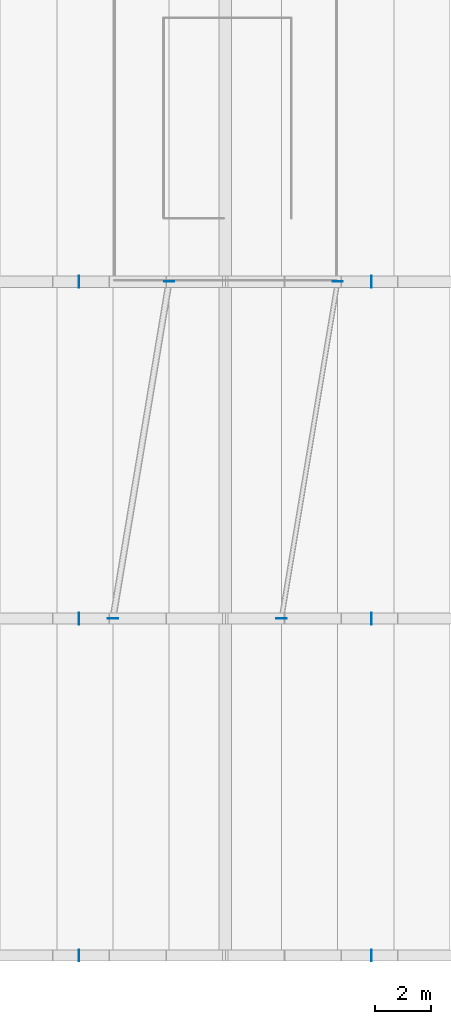
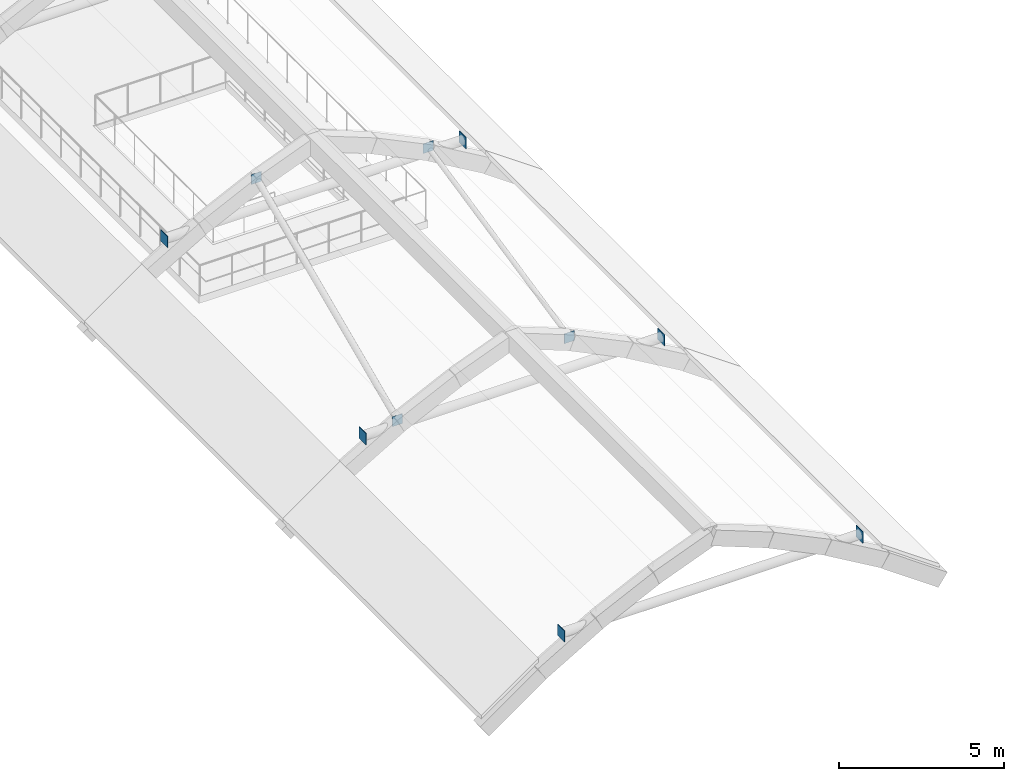
# One storey, part 55 of 82: 10 plates.
"""IFC4 building model written with IfcOpenShell, lengths in metres."""

import ifcopenshell
import ifcopenshell.guid

model = None  # the IFC model being written
_history = None  # IfcOwnerHistory: only IFC2X3 demands one
_inside = {}  # id of a spatial element -> (the spatial element, [elements in it])
_under = {}  # id of a project, library or spatial element -> (it, [spatial elements below it])
_declared = {}  # id of a project -> (the project, [libraries it declares])
_typed = {}  # id of a type object -> (the type object, [elements of that type])
_made_of = {}  # id of a material, layer set ... -> (it, [elements and type objects made of it])


def new_model(schema):
    """Start an empty IFC model of exactly this schema.

    Asked for "IFC4X3", IfcOpenShell would pick the latest addendum, in which some entities
    have other attributes; the version numbers below select the first issue.
    IFC2X3 requires an IfcOwnerHistory on every rooted entity: one is made here for all.
    """
    global model, _history
    if schema == "IFC4X3":
        model = ifcopenshell.file(schema_version=(4, 3, 0, 0))
    else:
        model = ifcopenshell.file(schema=schema)
    _inside.clear()
    _under.clear()
    _declared.clear()
    _typed.clear()
    _made_of.clear()
    _history = None
    if model.schema == "IFC2X3":
        org = make("IfcOrganization", Name="unknown")
        user = make(
            "IfcPersonAndOrganization",
            ThePerson=make("IfcPerson", FamilyName="unknown"),
            TheOrganization=org,
        )
        app = make(
            "IfcApplication",
            ApplicationDeveloper=org,
            Version="unknown",
            ApplicationFullName="unknown",
            ApplicationIdentifier="unknown",
        )
        _history = make(
            "IfcOwnerHistory",
            OwningUser=user,
            OwningApplication=app,
            ChangeAction="ADDED",
            CreationDate=0,
        )
    return model


def make(cls, **values):
    """One entity of the class cls with the attributes given. An attribute that is None is left unset."""
    return model.create_entity(
        cls, **{name: value for name, value in values.items() if value is not None}
    )


def rooted(cls, **values):
    """An entity with a GlobalId (a new one), such as an element, a storey or a relation."""
    return make(cls, GlobalId=ifcopenshell.guid.new(), OwnerHistory=_history, **values)


def si_unit(unit_type, name, prefix=None):
    """IfcSIUnit, for example si_unit("LENGTHUNIT", "METRE", prefix="MILLI")."""
    return make("IfcSIUnit", UnitType=unit_type, Prefix=prefix, Name=name)


def assignment(units):
    """IfcUnitAssignment: the units of a project."""
    return None if units is None else make("IfcUnitAssignment", Units=units)


def point(xyz):
    """IfcCartesianPoint."""
    return None if xyz is None else make("IfcCartesianPoint", Coordinates=xyz)


def direction(xyz):
    """IfcDirection."""
    return None if xyz is None else make("IfcDirection", DirectionRatios=xyz)


def frame(location, z_axis=None, x_axis=None):
    """IfcAxis2Placement3D, a coordinate frame: its origin and axes. An axis left out is left unset."""
    return make(
        "IfcAxis2Placement3D",
        Location=point(location),
        Axis=direction(z_axis),
        RefDirection=direction(x_axis),
    )


def frame_2d(location, x_axis=None):
    """IfcAxis2Placement2D, a coordinate frame in the plane: its origin and x axis."""
    return make(
        "IfcAxis2Placement2D", Location=point(location), RefDirection=direction(x_axis)
    )


def origin():
    """The frame at (0, 0, 0) with its axes left unset."""
    return frame((0.0, 0.0, 0.0))


def origin_2d():
    """The frame at (0, 0) in the plane with its x axis left unset."""
    return frame_2d((0.0, 0.0))


def place(relative_to, where):
    """IfcLocalPlacement: puts the frame where relative to a parent placement (None: the world)."""
    return make(
        "IfcLocalPlacement", PlacementRelTo=relative_to, RelativePlacement=where
    )


def context(
    kind, dimensions, precision=None, world=None, true_north=None, identifier=None
):
    """IfcGeometricRepresentationContext, for example the 3D "Model" context."""
    return make(
        "IfcGeometricRepresentationContext",
        ContextIdentifier=identifier,
        ContextType=kind,
        CoordinateSpaceDimension=dimensions,
        Precision=precision,
        WorldCoordinateSystem=world,
        TrueNorth=true_north,
    )


def subcontext(parent, identifier, kind, view, scale=None):
    """IfcGeometricRepresentationSubContext, for example "Body" below "Model"."""
    return make(
        "IfcGeometricRepresentationSubContext",
        ContextIdentifier=identifier,
        ContextType=kind,
        ParentContext=parent,
        TargetScale=scale,
        TargetView=view,
    )


def project(units=None, contexts=None):
    """IfcProject with its units and contexts."""
    return rooted(
        "IfcProject",
        Name="project",
        RepresentationContexts=contexts,
        UnitsInContext=assignment(units),
    )


def spatial(cls, under=None, at=None, **own):
    """A site, building, storey or space (cls), placed at a placement, below another one or the project."""
    s = rooted(cls, ObjectPlacement=at, **own)
    if under is not None:
        _under.setdefault(under.id(), (under, []))[1].append(s)
    return s


def profile(cls, at=None, kind="AREA", **sizes):
    """A parametric profile (cls). Its sizes go by their IFC names, for example OverallWidth=200.0."""
    return make(cls, ProfileType=kind, Position=at, **sizes)


def rectangle(**sizes):
    """IfcRectangleProfileDef."""
    return profile("IfcRectangleProfileDef", **sizes)


def extrude(swept, where, along, depth):
    """IfcExtrudedAreaSolid: the profile swept, set in the frame where, extruded along a direction by depth."""
    return make(
        "IfcExtrudedAreaSolid",
        SweptArea=swept,
        Position=where,
        ExtrudedDirection=direction(along),
        Depth=depth,
    )


def shape(context_of_items, identifier, shape_type, items):
    """IfcShapeRepresentation: the items that make up one representation, for example the "Body"."""
    return make(
        "IfcShapeRepresentation",
        ContextOfItems=context_of_items,
        RepresentationIdentifier=identifier,
        RepresentationType=shape_type,
        Items=items,
    )


def material(Name=None, Category=None):
    """IfcMaterial."""
    return make("IfcMaterial", Name=Name, Category=Category)


def layer(
    of_material, thickness, ventilated=None, Name=None, Category=None, Priority=None
):
    """IfcMaterialLayer: one layer of a wall or slab, of a material (None: an air gap)."""
    return make(
        "IfcMaterialLayer",
        Material=of_material,
        LayerThickness=thickness,
        IsVentilated=ventilated,
        Name=Name,
        Category=Category,
        Priority=Priority,
    )


def layer_set(layers, Name=None):
    """IfcMaterialLayerSet."""
    return make("IfcMaterialLayerSet", MaterialLayers=layers, LayerSetName=Name)


def made_of(thing, what):
    """Note that an element or type object is made of a material, layer set ...; save() writes the relation."""
    if what is not None:
        _made_of.setdefault(what.id(), (what, []))[1].append(thing)
    return thing


def type_object(cls, material=None, **own):
    """A type object (cls), such as IfcWallType, which elements share."""
    return made_of(rooted(cls, **own), material)


def element(
    cls,
    number,
    at=None,
    inside=None,
    cuts=None,
    type_object=None,
    material=None,
    context=None,
    identifier="Body",
    shape_type=None,
    held_by="IfcProductDefinitionShape",
    body=None,
    shapes=None,
    **own,
):
    """One element of the class cls, such as IfcWall. Its Tag is "e" and its number.

    at: its placement. inside: the storey or other place that contains it. cuts: it is an
    opening in that element (IfcRelVoidsElement). A single representation is given by context,
    identifier, shape_type and body (its items); several are given by shapes. held_by: the class
    of the entity that holds the representations. save() writes the other relations.
    """
    e = rooted(cls, Tag="e%d" % number, ObjectPlacement=at, **own)
    if body is not None:
        shapes = [shape(context, identifier, shape_type, body)]
    if shapes is not None:
        e.Representation = make(held_by, Representations=shapes)
    if inside is not None:
        _inside.setdefault(inside.id(), (inside, []))[1].append(e)
    if cuts is not None:
        rooted(
            "IfcRelVoidsElement", RelatingBuildingElement=cuts, RelatedOpeningElement=e
        )
    if type_object is not None:
        _typed.setdefault(type_object.id(), (type_object, []))[1].append(e)
    return made_of(e, material)


def aggregate(whole, parts):
    """IfcRelAggregates: a whole, such as a stair, and the parts it consists of."""
    return rooted("IfcRelAggregates", RelatingObject=whole, RelatedObjects=parts)


def save(model, path):
    """Write the relations noted so far, then the file.

    IfcRelAggregates (storeys below a building ...), IfcRelContainedInSpatialStructure (elements
    in a storey), IfcRelDefinesByType, IfcRelAssociatesMaterial and IfcRelDeclares: one each for
    every whole, place, type object, material and project.
    """
    for whole, parts in _under.values():
        aggregate(whole, parts)
    for where, things in _inside.values():
        rooted(
            "IfcRelContainedInSpatialStructure",
            RelatedElements=things,
            RelatingStructure=where,
        )
    for kind, things in _typed.values():
        rooted("IfcRelDefinesByType", RelatedObjects=things, RelatingType=kind)
    for what, things in _made_of.values():
        rooted("IfcRelAssociatesMaterial", RelatedObjects=things, RelatingMaterial=what)
    for by, libraries in _declared.values():
        rooted("IfcRelDeclares", RelatingContext=by, RelatedDefinitions=libraries)
    model.write(path)


model = new_model("IFC4")

# Units and contexts
model_context = context("Model", 3, precision=1e-05, world=origin(), true_north=direction((0.0, 1.0)))
body_context = subcontext(model_context, "Body", "Model", "MODEL_VIEW")
ifc_project = project(units=[si_unit("LENGTHUNIT", "METRE"), si_unit("AREAUNIT", "SQUARE_METRE"), si_unit("VOLUMEUNIT", "CUBIC_METRE"), si_unit("PLANEANGLEUNIT", "RADIAN"), si_unit("MASSUNIT", "GRAM", prefix="KILO")], contexts=[model_context])

# Site, building, storey
site_placement = place(None, origin())
site = spatial("IfcSite", under=ifc_project, at=site_placement, CompositionType="ELEMENT")
building_placement = place(site_placement, origin())
building = spatial("IfcBuilding", under=site, at=building_placement, Name="Sitalva Quay Ferry Terminal", CompositionType="ELEMENT")
storey_placement = place(building_placement, frame((0.0, 0.0, 5.39990234375)))
storey = spatial("IfcBuildingStorey", under=building, at=storey_placement, Name="L02", CompositionType="ELEMENT", Elevation=5.39990234375)

# Plates
ifc_material_1 = material(Name="Structural Steel S355JR", Category="steel")
ifc_layer_1 = layer(ifc_material_1, 0.01611328125)
ifc_layer_set_1 = layer_set([ifc_layer_1], Name="Structural Steel S355JR")
plate_type_1 = type_object("IfcPlateType", Name="Gusset_360x360x16", PredefinedType="USERDEFINED", material=ifc_layer_set_1)
for number, where, z_axis, x_axis, name in (
    (1, (16.0, 18.0, 2.53076171875), (0.0, 0.0, 1.0), (1.0, 0.0, 0.0), "Vault V2 wind brace B2.4 S end plate"),
    (2, (18.0, 30.0, 3.4931640625), (0.0, 0.0, 1.0), (1.0, 0.0, 0.0), "Vault V2 wind brace B2.4 N end plate"),
    (3, (22.0, 18.0, 3.4931640625), (0.0, 0.0, 1.0), (1.0, 0.0, 0.0), "Vault V2 wind brace B2.7 S end plate"),
    (4, (24.0, 30.0, 2.53076171875), (0.0, 0.0, 1.0), (1.0, 0.0, 0.0), "Vault V2 wind brace B2.7 N end plate"),
):
    element("IfcPlate", number, at=place(storey_placement, frame(where, z_axis=z_axis, x_axis=x_axis)), inside=storey, type_object=plate_type_1, Name=name, ObjectType="FLANGE_PLATE", PredefinedType="USERDEFINED", context=body_context, shape_type="SweptSolid", body=[
        extrude(rectangle(XDim=0.360107421875, YDim=0.01611328125, at=origin_2d()), origin(), (0.0, 0.0, 1.0), 0.360107421875),
    ])
ifc_material_2 = material(Name="Structural Steel S355JR", Category="steel")
ifc_layer_2 = layer(ifc_material_2, 0.02197265625)
ifc_layer_set_2 = layer_set([ifc_layer_2], Name="Structural Steel S355JR")
plate_type_2 = type_object("IfcPlateType", Name="Gusset_420x420x22", PredefinedType="USERDEFINED", material=ifc_layer_set_2)
for number, where, z_axis, x_axis, name in (
    (5, (14.7890625, 6.0, 2.340087890625), (0.0, 0.0, 1.0), (1.0, 0.0, 0.0), "Vault V2 collar tie 1 west end plate"),
    (6, (25.2109375, 6.0, 2.340087890625), (0.0, 0.0, 1.0), (1.0, 0.0, 0.0), "Vault V2 collar tie 1 east end plate"),
    (7, (14.7890625, 18.0, 2.340087890625), (0.0, 0.0, 1.0), (1.0, 0.0, 0.0), "Vault V2 collar tie 2 west end plate"),
    (8, (25.2109375, 18.0, 2.340087890625), (0.0, 0.0, 1.0), (1.0, 0.0, 0.0), "Vault V2 collar tie 2 east end plate"),
    (9, (14.7890625, 30.0, 2.340087890625), (0.0, 0.0, 1.0), (1.0, 0.0, 0.0), "Vault V2 collar tie 3 west end plate"),
    (10, (25.2109375, 30.0, 2.340087890625), (0.0, 0.0, 1.0), (1.0, 0.0, 0.0), "Vault V2 collar tie 3 east end plate"),
):
    element("IfcPlate", number, at=place(storey_placement, frame(where, z_axis=z_axis, x_axis=x_axis)), inside=storey, type_object=plate_type_2, Name=name, ObjectType="FLANGE_PLATE", PredefinedType="USERDEFINED", context=body_context, shape_type="SweptSolid", body=[
        extrude(rectangle(XDim=0.02197265625, YDim=0.419921875, at=origin_2d()), origin(), (0.0, 0.0, 1.0), 0.419921875),
    ])

save(model, "model.ifc")
